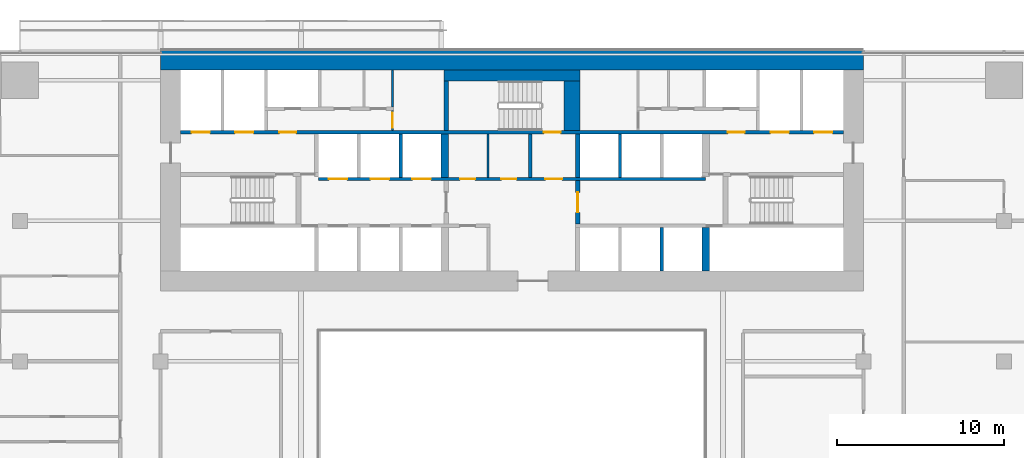
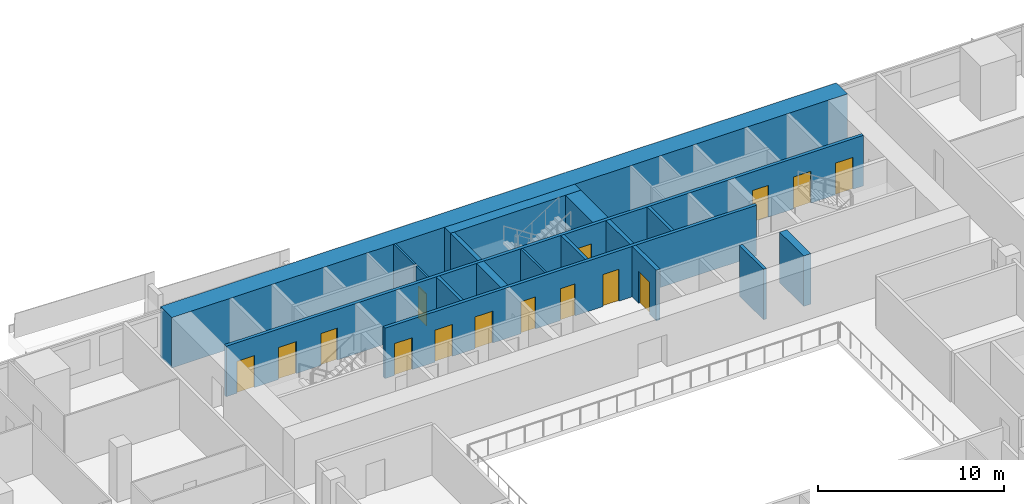
# One storey, part 21 of 27: 17 walls, 15 doors, 15 openings.
"""IFC4 building model written with IfcOpenShell, lengths in metres."""

from ifc_helpers import new_model, si_unit, direction, frame, frame_2d, origin, place, context, subcontext, project, spatial, rectangle, extrude, material, layer, layer_set, type_object, element, fill, save


model = new_model("IFC4")

# Units and contexts
model_context = context("Model", 3, precision=1e-05, world=origin(), true_north=direction((0.0, 1.0)))
body_context = subcontext(model_context, "Body", "Model", "MODEL_VIEW")
ifc_project = project(units=[si_unit("LENGTHUNIT", "METRE"), si_unit("AREAUNIT", "SQUARE_METRE"), si_unit("VOLUMEUNIT", "CUBIC_METRE"), si_unit("PLANEANGLEUNIT", "RADIAN"), si_unit("MASSUNIT", "GRAM", prefix="KILO")], contexts=[model_context])

# Site, building, storey
site_placement = place(None, origin())
site = spatial("IfcSite", under=ifc_project, at=site_placement, CompositionType="ELEMENT")
building_placement = place(site_placement, origin())
building = spatial("IfcBuilding", under=site, at=building_placement, Name="Saffron Gate Tower", CompositionType="ELEMENT")
storey_placement = place(building_placement, frame((0.0, 0.0, 66.0)))
storey = spatial("IfcBuildingStorey", under=building, at=storey_placement, Name="L15", CompositionType="ELEMENT", Elevation=66.0)

# Walls
ifc_material_1 = material(Name="Concrete C70", Category="concrete")
ifc_layer_1 = layer(ifc_material_1, 1.199951171875)
ifc_layer_set_1 = layer_set([ifc_layer_1], Name="CW1 RC core wall 1200 C70")
wall_type_1 = type_object("IfcWallType", Name="CW1 RC core wall 1200 C70", PredefinedType="SOLIDWALL", material=ifc_layer_set_1)
wall_1_placement = place(storey_placement, frame((66.60009765625, 75.0, 0.0), z_axis=(0.0, 0.0, 1.0), x_axis=(1.0, 0.0, 0.0)))
element("IfcWall", 1, at=wall_1_placement, inside=storey, type_object=wall_type_1, Name="Wall CW1-L15-2", PredefinedType="SOLIDWALL", context=body_context, shape_type="SweptSolid", body=[
    extrude(rectangle(XDim=42.0, YDim=1.199951171875, at=frame_2d((21.0, 0.0))), origin(), (0.0, 0.0, 1.0), 3.320068359375),
])
ifc_material_2 = material(Name="Gypsum board partition on steel studs", Category="steel")
ifc_layer_2 = layer(ifc_material_2, 0.199951171875)
ifc_layer_set_2 = layer_set([ifc_layer_2], Name="CW10 Core partition 200")
wall_type_2 = type_object("IfcWallType", Name="CW10 Core partition 200", PredefinedType="PARTITIONING", material=ifc_layer_set_2)
wall_2_placement = place(storey_placement, frame((88.699951171875, 68.0, 0.0), z_axis=(0.0, 0.0, 1.0), x_axis=(0.0, 1.0, 0.0)))
element("IfcWall", 2, at=wall_2_placement, inside=storey, type_object=wall_type_2, Name="Wall CW10-L15-25", PredefinedType="PARTITIONING", context=body_context, shape_type="SweptSolid", body=[
    extrude(rectangle(XDim=2.60009765625, YDim=0.199951171875, at=frame_2d((1.300048828125, 0.0))), origin(), (0.0, 0.0, 1.0), 3.320068359375),
])

# Wall, opening, door
ifc_layer_3 = layer(ifc_material_1, 0.25)
ifc_layer_set_3 = layer_set([ifc_layer_3], Name="CW2 RC core wall 250 C70")
wall_type_3 = type_object("IfcWallType", Name="CW2 RC core wall 250 C70", PredefinedType="SOLIDWALL", material=ifc_layer_set_3)
wall_3_placement = place(storey_placement, frame((91.52490234375, 65.199951171875, 0.0), z_axis=(0.0, 0.0, 1.0), x_axis=(0.0, 1.0, 0.0)))
wall_3 = element("IfcWall", 3, at=wall_3_placement, inside=storey, type_object=wall_type_3, Name="Wall CW2-L15-18", PredefinedType="SOLIDWALL", context=body_context, shape_type="SweptSolid", body=[
    extrude(rectangle(XDim=2.60009765625, YDim=0.25, at=frame_2d((1.300048828125, 0.0))), origin(), (0.0, 0.0, 1.0), 3.320068359375),
])
opening_1_placement = place(wall_3_placement, frame((0.699951171875, 0.0, 0.0)))
opening_1 = element("IfcOpeningElement", 4, at=opening_1_placement, cuts=wall_3, Name="Opening CR-01", PredefinedType="OPENING", context=body_context, shape_type="SweptSolid", body=[
    extrude(rectangle(XDim=1.199951171875, YDim=2.10009765625, at=frame_2d((0.60009765625, 1.050048828125))), frame((0.0, 0.135009765625, 0.0), z_axis=(0.0, -1.0, 0.0), x_axis=(1.0, 0.0, 0.0)), (0.0, 0.0, 1.0), 0.27001953125),
])
ifc_material_3 = material(Name="Steel fire door set", Category="steel")
door_type_1 = type_object("IfcDoorType", Name="CD3 Lobby door 1200x2100 EI 120", OperationType="NOTDEFINED", PredefinedType="DOOR", material=ifc_material_3)
door_1_placement = place(opening_1_placement, origin())
door_1 = element("IfcDoor", 5, at=door_1_placement, inside=storey, type_object=door_type_1, Name="DOOR CR-01", OperationType="SINGLE_SWING_RIGHT", OverallHeight=2.10009765625, OverallWidth=1.199951171875, PredefinedType="DOOR", context=body_context, shape_type="SweptSolid", body=[
    extrude(rectangle(XDim=1.199951171875, YDim=2.10009765625, at=frame_2d((0.60009765625, 1.050048828125))), frame((0.0, 0.02490234375, 0.0), z_axis=(0.0, -1.0, 0.0), x_axis=(1.0, 0.0, 0.0)), (0.0, 0.0, 1.0), 0.050048828125),
])
fill(opening_1, door_1)

# Walls
wall_4_placement = place(storey_placement, frame((91.52490234375, 68.0, 0.0), z_axis=(0.0, 0.0, 1.0), x_axis=(0.0, 1.0, 0.0)))
element("IfcWall", 6, at=wall_4_placement, inside=storey, type_object=wall_type_3, Name="Wall CW2-L15-26", PredefinedType="SOLIDWALL", context=body_context, shape_type="SweptSolid", body=[
    extrude(rectangle(XDim=2.60009765625, YDim=0.25, at=frame_2d((1.300048828125, 0.0))), origin(), (0.0, 0.0, 1.0), 3.320068359375),
])
wall_5_placement = place(storey_placement, frame((83.675048828125, 70.800048828125, 0.0), z_axis=(0.0, 0.0, 1.0), x_axis=(0.0, 1.0, 0.0)))
element("IfcWall", 7, at=wall_5_placement, inside=storey, type_object=wall_type_3, Name="Wall CW2-L15-38", PredefinedType="SOLIDWALL", context=body_context, shape_type="SweptSolid", body=[
    extrude(rectangle(XDim=2.949951171875, YDim=0.25, at=frame_2d((1.47509765625, 0.0))), origin(), (0.0, 0.0, 1.0), 3.320068359375),
])
ifc_layer_4 = layer(ifc_material_1, 0.199951171875)
ifc_layer_set_4 = layer_set([ifc_layer_4], Name="CW3 RC core wall 200 C70")
wall_type_4 = type_object("IfcWallType", Name="CW3 RC core wall 200 C70", PredefinedType="SOLIDWALL", material=ifc_layer_set_4)
wall_6_placement = place(storey_placement, frame((96.550048828125, 62.39990234375, 0.0), z_axis=(0.0, 0.0, 1.0), x_axis=(0.0, 1.0, 0.0)))
element("IfcWall", 8, at=wall_6_placement, inside=storey, type_object=wall_type_4, Name="Wall CW3-L15-12", PredefinedType="SOLIDWALL", context=body_context, shape_type="SweptSolid", body=[
    extrude(rectangle(XDim=2.60009765625, YDim=0.199951171875, at=frame_2d((1.300048828125, 0.0))), origin(), (0.0, 0.0, 1.0), 3.320068359375),
])

# Wall, openings, doors
wall_7_placement = place(storey_placement, frame((76.050048828125, 67.89990234375, 0.0), z_axis=(0.0, 0.0, 1.0), x_axis=(1.0, 0.0, 0.0)))
wall_7 = element("IfcWall", 9, at=wall_7_placement, inside=storey, type_object=wall_type_4, Name="Wall CW3-L15-20", PredefinedType="SOLIDWALL", context=body_context, shape_type="SweptSolid", body=[
    extrude(rectangle(XDim=23.099853515625, YDim=0.199951171875, at=frame_2d((11.5498046875, 0.0))), origin(), (0.0, 0.0, 1.0), 3.320068359375),
])
opening_2_placement = place(wall_7_placement, frame((0.60009765625, 0.0, 0.0)))
opening_2 = element("IfcOpeningElement", 10, at=opening_2_placement, cuts=wall_7, Name="Opening LD-LR4", PredefinedType="OPENING", context=body_context, shape_type="SweptSolid", body=[
    extrude(rectangle(XDim=1.10009765625, YDim=2.10009765625, at=frame_2d((0.550048828125, 1.050048828125))), frame((0.0, 0.10986328125, 0.0), z_axis=(0.0, -1.0, 0.0), x_axis=(1.0, 0.0, 0.0)), (0.0, 0.0, 1.0), 0.219970703125),
])
opening_3_placement = place(wall_7_placement, frame((3.10009765625, 0.0, 0.0)))
opening_3 = element("IfcOpeningElement", 11, at=opening_3_placement, cuts=wall_7, Name="Opening LD-LR5", PredefinedType="OPENING", context=body_context, shape_type="SweptSolid", body=[
    extrude(rectangle(XDim=1.10009765625, YDim=2.10009765625, at=frame_2d((0.550048828125, 1.050048828125))), frame((0.0, 0.10986328125, 0.0), z_axis=(0.0, -1.0, 0.0), x_axis=(1.0, 0.0, 0.0)), (0.0, 0.0, 1.0), 0.219970703125),
])
opening_4_placement = place(wall_7_placement, frame((5.60009765625, 0.0, 0.0)))
opening_4 = element("IfcOpeningElement", 12, at=opening_4_placement, cuts=wall_7, Name="Opening LD-LR6", PredefinedType="OPENING", context=body_context, shape_type="SweptSolid", body=[
    extrude(rectangle(XDim=1.10009765625, YDim=2.10009765625, at=frame_2d((0.550048828125, 1.050048828125))), frame((0.0, 0.10986328125, 0.0), z_axis=(0.0, -1.0, 0.0), x_axis=(1.0, 0.0, 0.0)), (0.0, 0.0, 1.0), 0.219970703125),
])
opening_5_placement = place(wall_7_placement, frame((8.449951171875, 0.0, 0.0)))
opening_5 = element("IfcOpeningElement", 13, at=opening_5_placement, cuts=wall_7, Name="Opening CR-67", PredefinedType="OPENING", context=body_context, shape_type="SweptSolid", body=[
    extrude(rectangle(XDim=0.89990234375, YDim=2.10009765625, at=frame_2d((0.449951171875, 1.050048828125))), frame((0.0, 0.10986328125, 0.0), z_axis=(0.0, -1.0, 0.0), x_axis=(1.0, 0.0, 0.0)), (0.0, 0.0, 1.0), 0.219970703125),
])
opening_6_placement = place(wall_7_placement, frame((10.909912109375, 0.0, 0.0)))
opening_6 = element("IfcOpeningElement", 14, at=opening_6_placement, cuts=wall_7, Name="Opening CR-68", PredefinedType="OPENING", context=body_context, shape_type="SweptSolid", body=[
    extrude(rectangle(XDim=0.89990234375, YDim=2.10009765625, at=frame_2d((0.449951171875, 1.050048828125))), frame((0.0, 0.10986328125, 0.0), z_axis=(0.0, -1.0, 0.0), x_axis=(1.0, 0.0, 0.0)), (0.0, 0.0, 1.0), 0.219970703125),
])
opening_7_placement = place(wall_7_placement, frame((13.550048828125, 0.0, 0.0)))
opening_7 = element("IfcOpeningElement", 15, at=opening_7_placement, cuts=wall_7, Name="Opening CR-02", PredefinedType="OPENING", context=body_context, shape_type="SweptSolid", body=[
    extrude(rectangle(XDim=1.0, YDim=2.10009765625, at=frame_2d((0.5, 1.050048828125))), frame((0.0, 0.10986328125, 0.0), z_axis=(0.0, -1.0, 0.0), x_axis=(1.0, 0.0, 0.0)), (0.0, 0.0, 1.0), 0.219970703125),
])
door_type_2 = type_object("IfcDoorType", Name="CD4 Lobby door 1000x2100 EI 120", OperationType="NOTDEFINED", PredefinedType="DOOR", material=ifc_material_3)
door_2_placement = place(opening_7_placement, origin())
door_2 = element("IfcDoor", 16, at=door_2_placement, inside=storey, type_object=door_type_2, Name="DOOR CR-02", OperationType="SINGLE_SWING_LEFT", OverallHeight=2.10009765625, OverallWidth=1.0, PredefinedType="DOOR", context=body_context, shape_type="SweptSolid", body=[
    extrude(rectangle(XDim=1.0, YDim=2.10009765625, at=frame_2d((0.5, 1.050048828125))), frame((0.0, 0.02490234375, 0.0), z_axis=(0.0, -1.0, 0.0), x_axis=(1.0, 0.0, 0.0)), (0.0, 0.0, 1.0), 0.050048828125),
])
fill(opening_7, door_2)
door_type_3 = type_object("IfcDoorType", Name="CD9 Room door 900x2100 EI 60", OperationType="NOTDEFINED", PredefinedType="DOOR", material=ifc_material_3)
door_3_placement = place(opening_5_placement, origin())
door_3 = element("IfcDoor", 17, at=door_3_placement, inside=storey, type_object=door_type_3, Name="DOOR CR-67", OperationType="SINGLE_SWING_LEFT", OverallHeight=2.10009765625, OverallWidth=0.89990234375, PredefinedType="DOOR", context=body_context, shape_type="SweptSolid", body=[
    extrude(rectangle(XDim=0.89990234375, YDim=2.10009765625, at=frame_2d((0.449951171875, 1.050048828125))), frame((0.0, 0.02490234375, 0.0), z_axis=(0.0, -1.0, 0.0), x_axis=(1.0, 0.0, 0.0)), (0.0, 0.0, 1.0), 0.050048828125),
])
fill(opening_5, door_3)
door_4_placement = place(opening_6_placement, origin())
door_4 = element("IfcDoor", 18, at=door_4_placement, inside=storey, type_object=door_type_3, Name="DOOR CR-68", OperationType="SINGLE_SWING_LEFT", OverallHeight=2.10009765625, OverallWidth=0.89990234375, PredefinedType="DOOR", context=body_context, shape_type="SweptSolid", body=[
    extrude(rectangle(XDim=0.89990234375, YDim=2.10009765625, at=frame_2d((0.449951171875, 1.050048828125))), frame((0.0, 0.02490234375, 0.0), z_axis=(0.0, -1.0, 0.0), x_axis=(1.0, 0.0, 0.0)), (0.0, 0.0, 1.0), 0.050048828125),
])
fill(opening_6, door_4)
ifc_material_4 = material(Name="Stainless steel landing door", Category="steel")
door_type_4 = type_object("IfcDoorType", Name="LD Lift landing door 1100x2100 EI 120", OperationType="SLIDING_TO_LEFT", PredefinedType="DOOR", material=ifc_material_4)
door_5_placement = place(opening_2_placement, origin())
door_5 = element("IfcDoor", 19, at=door_5_placement, inside=storey, type_object=door_type_4, Name="LANDING DOOR LD-LR4", OperationType="SLIDING_TO_RIGHT", OverallHeight=2.10009765625, OverallWidth=1.10009765625, PredefinedType="DOOR", context=body_context, shape_type="SweptSolid", body=[
    extrude(rectangle(XDim=1.10009765625, YDim=2.10009765625, at=frame_2d((0.550048828125, 1.050048828125))), frame((0.0, 0.02490234375, 0.0), z_axis=(0.0, -1.0, 0.0), x_axis=(1.0, 0.0, 0.0)), (0.0, 0.0, 1.0), 0.050048828125),
])
fill(opening_2, door_5)
door_6_placement = place(opening_3_placement, origin())
door_6 = element("IfcDoor", 20, at=door_6_placement, inside=storey, type_object=door_type_4, Name="LANDING DOOR LD-LR5", OperationType="SLIDING_TO_RIGHT", OverallHeight=2.10009765625, OverallWidth=1.10009765625, PredefinedType="DOOR", context=body_context, shape_type="SweptSolid", body=[
    extrude(rectangle(XDim=1.10009765625, YDim=2.10009765625, at=frame_2d((0.550048828125, 1.050048828125))), frame((0.0, 0.02490234375, 0.0), z_axis=(0.0, -1.0, 0.0), x_axis=(1.0, 0.0, 0.0)), (0.0, 0.0, 1.0), 0.050048828125),
])
fill(opening_3, door_6)
door_7_placement = place(opening_4_placement, origin())
door_7 = element("IfcDoor", 21, at=door_7_placement, inside=storey, type_object=door_type_4, Name="LANDING DOOR LD-LR6", OperationType="SLIDING_TO_RIGHT", OverallHeight=2.10009765625, OverallWidth=1.10009765625, PredefinedType="DOOR", context=body_context, shape_type="SweptSolid", body=[
    extrude(rectangle(XDim=1.10009765625, YDim=2.10009765625, at=frame_2d((0.550048828125, 1.050048828125))), frame((0.0, 0.02490234375, 0.0), z_axis=(0.0, -1.0, 0.0), x_axis=(1.0, 0.0, 0.0)), (0.0, 0.0, 1.0), 0.050048828125),
])
fill(opening_4, door_7)

# Walls
for number, where, z_axis, x_axis, name in (
    (22, (80.949951171875, 68.0, 0.0), (0.0, 0.0, 1.0), (0.0, 1.0, 0.0), "Wall CW3-L15-22"),
    (23, (94.050048828125, 68.0, 0.0), (0.0, 0.0, 1.0), (0.0, 1.0, 0.0), "Wall CW3-L15-27"),
):
    element("IfcWall", number, at=place(storey_placement, frame(where, z_axis=z_axis, x_axis=x_axis)), inside=storey, type_object=wall_type_4, Name=name, PredefinedType="SOLIDWALL", context=body_context, shape_type="SweptSolid", body=[
        extrude(rectangle(XDim=2.60009765625, YDim=0.199951171875, at=frame_2d((1.300048828125, 0.0))), origin(), (0.0, 0.0, 1.0), 3.320068359375),
    ])

# Wall, openings, doors
wall_8_placement = place(storey_placement, frame((67.800048828125, 70.699951171875, 0.0), z_axis=(0.0, 0.0, 1.0), x_axis=(1.0, 0.0, 0.0)))
wall_8 = element("IfcWall", 24, at=wall_8_placement, inside=storey, type_object=wall_type_4, Name="Wall CW3-L15-34", PredefinedType="SOLIDWALL", context=body_context, shape_type="SweptSolid", body=[
    extrude(rectangle(XDim=39.599853515625, YDim=0.199951171875, at=frame_2d((19.7998046875, 0.0))), origin(), (0.0, 0.0, 1.0), 3.320068359375),
])
opening_8_placement = place(wall_8_placement, frame((0.64990234375, 0.0, 0.0)))
opening_8 = element("IfcOpeningElement", 25, at=opening_8_placement, cuts=wall_8, Name="Opening LD-FF1", PredefinedType="OPENING", context=body_context, shape_type="SweptSolid", body=[
    extrude(rectangle(XDim=1.10009765625, YDim=2.10009765625, at=frame_2d((0.550048828125, 1.050048828125))), frame((0.0, 0.10986328125, 0.0), z_axis=(0.0, -1.0, 0.0), x_axis=(1.0, 0.0, 0.0)), (0.0, 0.0, 1.0), 0.219970703125),
])
opening_9_placement = place(wall_8_placement, frame((3.25, 0.0, 0.0)))
opening_9 = element("IfcOpeningElement", 26, at=opening_9_placement, cuts=wall_8, Name="Opening LD-SV1", PredefinedType="OPENING", context=body_context, shape_type="SweptSolid", body=[
    extrude(rectangle(XDim=1.10009765625, YDim=2.10009765625, at=frame_2d((0.550048828125, 1.050048828125))), frame((0.0, 0.10986328125, 0.0), z_axis=(0.0, -1.0, 0.0), x_axis=(1.0, 0.0, 0.0)), (0.0, 0.0, 1.0), 0.219970703125),
])
opening_10_placement = place(wall_8_placement, frame((5.89990234375, 0.0, 0.0)))
opening_10 = element("IfcOpeningElement", 27, at=opening_10_placement, cuts=wall_8, Name="Opening CR-03", PredefinedType="OPENING", context=body_context, shape_type="SweptSolid", body=[
    extrude(rectangle(XDim=1.0, YDim=2.10009765625, at=frame_2d((0.5, 1.050048828125))), frame((0.0, 0.10986328125, 0.0), z_axis=(0.0, -1.0, 0.0), x_axis=(1.0, 0.0, 0.0)), (0.0, 0.0, 1.0), 0.219970703125),
])
opening_11_placement = place(wall_8_placement, frame((21.699951171875, 0.0, 0.0)))
opening_11 = element("IfcOpeningElement", 28, at=opening_11_placement, cuts=wall_8, Name="Opening CR-17", PredefinedType="OPENING", context=body_context, shape_type="SweptSolid", body=[
    extrude(rectangle(XDim=1.0, YDim=2.10009765625, at=frame_2d((0.5, 1.050048828125))), frame((0.0, 0.10986328125, 0.0), z_axis=(0.0, -1.0, 0.0), x_axis=(1.0, 0.0, 0.0)), (0.0, 0.0, 1.0), 0.219970703125),
])
opening_12_placement = place(wall_8_placement, frame((32.699951171875, 0.0, 0.0)))
opening_12 = element("IfcOpeningElement", 29, at=opening_12_placement, cuts=wall_8, Name="Opening CR-04", PredefinedType="OPENING", context=body_context, shape_type="SweptSolid", body=[
    extrude(rectangle(XDim=1.0, YDim=2.10009765625, at=frame_2d((0.5, 1.050048828125))), frame((0.0, 0.10986328125, 0.0), z_axis=(0.0, -1.0, 0.0), x_axis=(1.0, 0.0, 0.0)), (0.0, 0.0, 1.0), 0.219970703125),
])
opening_13_placement = place(wall_8_placement, frame((35.25, 0.0, 0.0)))
opening_13 = element("IfcOpeningElement", 30, at=opening_13_placement, cuts=wall_8, Name="Opening LD-SV2", PredefinedType="OPENING", context=body_context, shape_type="SweptSolid", body=[
    extrude(rectangle(XDim=1.10009765625, YDim=2.10009765625, at=frame_2d((0.550048828125, 1.050048828125))), frame((0.0, 0.10986328125, 0.0), z_axis=(0.0, -1.0, 0.0), x_axis=(1.0, 0.0, 0.0)), (0.0, 0.0, 1.0), 0.219970703125),
])
opening_14_placement = place(wall_8_placement, frame((37.85009765625, 0.0, 0.0)))
opening_14 = element("IfcOpeningElement", 31, at=opening_14_placement, cuts=wall_8, Name="Opening LD-FF2", PredefinedType="OPENING", context=body_context, shape_type="SweptSolid", body=[
    extrude(rectangle(XDim=1.10009765625, YDim=2.10009765625, at=frame_2d((0.550048828125, 1.050048828125))), frame((0.0, 0.10986328125, 0.0), z_axis=(0.0, -1.0, 0.0), x_axis=(1.0, 0.0, 0.0)), (0.0, 0.0, 1.0), 0.219970703125),
])
door_8_placement = place(opening_10_placement, origin())
door_8 = element("IfcDoor", 32, at=door_8_placement, inside=storey, type_object=door_type_2, Name="DOOR CR-03", OperationType="SINGLE_SWING_LEFT", OverallHeight=2.10009765625, OverallWidth=1.0, PredefinedType="DOOR", context=body_context, shape_type="SweptSolid", body=[
    extrude(rectangle(XDim=1.0, YDim=2.10009765625, at=frame_2d((0.5, 1.050048828125))), frame((0.0, 0.02490234375, 0.0), z_axis=(0.0, -1.0, 0.0), x_axis=(1.0, 0.0, 0.0)), (0.0, 0.0, 1.0), 0.050048828125),
])
fill(opening_10, door_8)
door_9_placement = place(opening_12_placement, origin())
door_9 = element("IfcDoor", 33, at=door_9_placement, inside=storey, type_object=door_type_2, Name="DOOR CR-04", OperationType="SINGLE_SWING_RIGHT", OverallHeight=2.10009765625, OverallWidth=1.0, PredefinedType="DOOR", context=body_context, shape_type="SweptSolid", body=[
    extrude(rectangle(XDim=1.0, YDim=2.10009765625, at=frame_2d((0.5, 1.050048828125))), frame((0.0, 0.02490234375, 0.0), z_axis=(0.0, -1.0, 0.0), x_axis=(1.0, 0.0, 0.0)), (0.0, 0.0, 1.0), 0.050048828125),
])
fill(opening_12, door_9)
door_type_5 = type_object("IfcDoorType", Name="CD5 Stair door 1000x2100 EI 120", OperationType="NOTDEFINED", PredefinedType="DOOR", material=ifc_material_3)
door_10_placement = place(opening_11_placement, origin())
door_10 = element("IfcDoor", 34, at=door_10_placement, inside=storey, type_object=door_type_5, Name="DOOR CR-17", OperationType="SINGLE_SWING_RIGHT", OverallHeight=2.10009765625, OverallWidth=1.0, PredefinedType="DOOR", context=body_context, shape_type="SweptSolid", body=[
    extrude(rectangle(XDim=1.0, YDim=2.10009765625, at=frame_2d((0.5, 1.050048828125))), frame((0.0, 0.02490234375, 0.0), z_axis=(0.0, -1.0, 0.0), x_axis=(1.0, 0.0, 0.0)), (0.0, 0.0, 1.0), 0.050048828125),
])
fill(opening_11, door_10)
door_11_placement = place(opening_8_placement, origin())
door_11 = element("IfcDoor", 35, at=door_11_placement, inside=storey, type_object=door_type_4, Name="LANDING DOOR LD-FF1", OperationType="SLIDING_TO_RIGHT", OverallHeight=2.10009765625, OverallWidth=1.10009765625, PredefinedType="DOOR", context=body_context, shape_type="SweptSolid", body=[
    extrude(rectangle(XDim=1.10009765625, YDim=2.10009765625, at=frame_2d((0.550048828125, 1.050048828125))), frame((0.0, 0.02490234375, 0.0), z_axis=(0.0, -1.0, 0.0), x_axis=(1.0, 0.0, 0.0)), (0.0, 0.0, 1.0), 0.050048828125),
])
fill(opening_8, door_11)
door_12_placement = place(opening_9_placement, origin())
door_12 = element("IfcDoor", 36, at=door_12_placement, inside=storey, type_object=door_type_4, Name="LANDING DOOR LD-SV1", OperationType="SLIDING_TO_RIGHT", OverallHeight=2.10009765625, OverallWidth=1.10009765625, PredefinedType="DOOR", context=body_context, shape_type="SweptSolid", body=[
    extrude(rectangle(XDim=1.10009765625, YDim=2.10009765625, at=frame_2d((0.550048828125, 1.050048828125))), frame((0.0, 0.02490234375, 0.0), z_axis=(0.0, -1.0, 0.0), x_axis=(1.0, 0.0, 0.0)), (0.0, 0.0, 1.0), 0.050048828125),
])
fill(opening_9, door_12)
door_13_placement = place(opening_13_placement, origin())
door_13 = element("IfcDoor", 37, at=door_13_placement, inside=storey, type_object=door_type_4, Name="LANDING DOOR LD-SV2", OperationType="SLIDING_TO_RIGHT", OverallHeight=2.10009765625, OverallWidth=1.10009765625, PredefinedType="DOOR", context=body_context, shape_type="SweptSolid", body=[
    extrude(rectangle(XDim=1.10009765625, YDim=2.10009765625, at=frame_2d((0.550048828125, 1.050048828125))), frame((0.0, 0.02490234375, 0.0), z_axis=(0.0, -1.0, 0.0), x_axis=(1.0, 0.0, 0.0)), (0.0, 0.0, 1.0), 0.050048828125),
])
fill(opening_13, door_13)
door_14_placement = place(opening_14_placement, origin())
door_14 = element("IfcDoor", 38, at=door_14_placement, inside=storey, type_object=door_type_4, Name="LANDING DOOR LD-FF2", OperationType="SLIDING_TO_RIGHT", OverallHeight=2.10009765625, OverallWidth=1.10009765625, PredefinedType="DOOR", context=body_context, shape_type="SweptSolid", body=[
    extrude(rectangle(XDim=1.10009765625, YDim=2.10009765625, at=frame_2d((0.550048828125, 1.050048828125))), frame((0.0, 0.02490234375, 0.0), z_axis=(0.0, -1.0, 0.0), x_axis=(1.0, 0.0, 0.0)), (0.0, 0.0, 1.0), 0.050048828125),
])
fill(opening_14, door_14)

# Walls
ifc_layer_5 = layer(ifc_material_1, 0.449951171875)
ifc_layer_set_5 = layer_set([ifc_layer_5], Name="CW4 RC core wall 450 C70")
wall_type_5 = type_object("IfcWallType", Name="CW4 RC core wall 450 C70", PredefinedType="SOLIDWALL", material=ifc_layer_set_5)
for number, where, z_axis, x_axis, name in (
    (39, (99.175048828125, 62.39990234375, 0.0), (0.0, 0.0, 1.0), (0.0, 1.0, 0.0), "Wall CW4-L15-13"),
    (40, (83.574951171875, 68.0, 0.0), (0.0, 0.0, 1.0), (0.0, 1.0, 0.0), "Wall CW4-L15-23"),
):
    element("IfcWall", number, at=place(storey_placement, frame(where, z_axis=z_axis, x_axis=x_axis)), inside=storey, type_object=wall_type_5, Name=name, PredefinedType="SOLIDWALL", context=body_context, shape_type="SweptSolid", body=[
        extrude(rectangle(XDim=2.60009765625, YDim=0.449951171875, at=frame_2d((1.300048828125, 0.0))), origin(), (0.0, 0.0, 1.0), 3.320068359375),
    ])
ifc_layer_6 = layer(ifc_material_1, 0.949951171875)
ifc_layer_set_6 = layer_set([ifc_layer_6], Name="CW7 RC core wall 950 C70")
wall_type_6 = type_object("IfcWallType", Name="CW7 RC core wall 950 C70", PredefinedType="SOLIDWALL", material=ifc_layer_set_6)
wall_9_placement = place(storey_placement, frame((91.175048828125, 70.800048828125, 0.0), z_axis=(0.0, 0.0, 1.0), x_axis=(0.0, 1.0, 0.0)))
element("IfcWall", 41, at=wall_9_placement, inside=storey, type_object=wall_type_6, Name="Wall CW7-L15-39", PredefinedType="SOLIDWALL", context=body_context, shape_type="SweptSolid", body=[
    extrude(rectangle(XDim=2.949951171875, YDim=0.949951171875, at=frame_2d((1.47509765625, 0.0))), origin(), (0.0, 0.0, 1.0), 3.320068359375),
])
ifc_layer_7 = layer(ifc_material_2, 0.1201171875)
ifc_layer_set_7 = layer_set([ifc_layer_7], Name="CW8 Core partition 120")
wall_type_7 = type_object("IfcWallType", Name="CW8 Core partition 120", PredefinedType="PARTITIONING", material=ifc_layer_set_7)
wall_10_placement = place(storey_placement, frame((86.159912109375, 68.0, 0.0), z_axis=(0.0, 0.0, 1.0), x_axis=(0.0, 1.0, 0.0)))
element("IfcWall", 42, at=wall_10_placement, inside=storey, type_object=wall_type_7, Name="Wall CW8-L15-24", PredefinedType="PARTITIONING", context=body_context, shape_type="SweptSolid", body=[
    extrude(rectangle(XDim=2.60009765625, YDim=0.1201171875, at=frame_2d((1.300048828125, 0.0))), origin(), (0.0, 0.0, 1.0), 3.320068359375),
])

# Wall, opening, door
wall_11_placement = place(storey_placement, frame((80.4599609375, 70.800048828125, 0.0), z_axis=(0.0, 0.0, 1.0), x_axis=(0.0, 1.0, 0.0)))
wall_11 = element("IfcWall", 43, at=wall_11_placement, inside=storey, type_object=wall_type_7, Name="Wall CW8-L15-37", PredefinedType="PARTITIONING", context=body_context, shape_type="SweptSolid", body=[
    extrude(rectangle(XDim=1.199951171875, YDim=0.1201171875, at=frame_2d((0.60009765625, 0.0))), origin(), (0.0, 0.0, 1.0), 3.320068359375),
])
opening_15_placement = place(wall_11_placement, frame((0.14990234375, 0.0, 0.0)))
opening_15 = element("IfcOpeningElement", 44, at=opening_15_placement, cuts=wall_11, Name="Opening CR-60", PredefinedType="OPENING", context=body_context, shape_type="SweptSolid", body=[
    extrude(rectangle(XDim=0.89990234375, YDim=2.10009765625, at=frame_2d((0.449951171875, 1.050048828125))), frame((0.0, 0.070068359375, 0.0), z_axis=(0.0, -1.0, 0.0), x_axis=(1.0, 0.0, 0.0)), (0.0, 0.0, 1.0), 0.14013671875),
])
door_15_placement = place(opening_15_placement, origin())
door_15 = element("IfcDoor", 45, at=door_15_placement, inside=storey, type_object=door_type_3, Name="DOOR CR-60", OperationType="SINGLE_SWING_RIGHT", OverallHeight=2.10009765625, OverallWidth=0.89990234375, PredefinedType="DOOR", context=body_context, shape_type="SweptSolid", body=[
    extrude(rectangle(XDim=0.89990234375, YDim=2.10009765625, at=frame_2d((0.449951171875, 1.050048828125))), frame((0.0, 0.02490234375, 0.0), z_axis=(0.0, -1.0, 0.0), x_axis=(1.0, 0.0, 0.0)), (0.0, 0.0, 1.0), 0.050048828125),
])
fill(opening_15, door_15)

# Walls
wall_12_placement = place(storey_placement, frame((80.4599609375, 72.199951171875, 0.0), z_axis=(0.0, 0.0, 1.0), x_axis=(0.0, 1.0, 0.0)))
element("IfcWall", 46, at=wall_12_placement, inside=storey, type_object=wall_type_7, Name="Wall CW8-L15-48", PredefinedType="PARTITIONING", context=body_context, shape_type="SweptSolid", body=[
    extrude(rectangle(XDim=2.199951171875, YDim=0.1201171875, at=frame_2d((1.10009765625, 0.0))), origin(), (0.0, 0.0, 1.0), 3.320068359375),
])
ifc_layer_8 = layer(ifc_material_1, 0.64990234375)
ifc_layer_set_8 = layer_set([ifc_layer_8], Name="CW9 RC core wall 650 C70")
wall_type_8 = type_object("IfcWallType", Name="CW9 RC core wall 650 C70", PredefinedType="SOLIDWALL", material=ifc_layer_set_8)
wall_13_placement = place(storey_placement, frame((83.550048828125, 74.074951171875, 0.0), z_axis=(0.0, 0.0, 1.0), x_axis=(1.0, 0.0, 0.0)))
element("IfcWall", 47, at=wall_13_placement, inside=storey, type_object=wall_type_8, Name="Wall CW9-L15-53", PredefinedType="SOLIDWALL", context=body_context, shape_type="SweptSolid", body=[
    extrude(rectangle(XDim=8.099853515625, YDim=0.64990234375, at=frame_2d((4.0498046875, 0.0))), origin(), (0.0, 0.0, 1.0), 3.320068359375),
])

save(model, "model.ifc")
